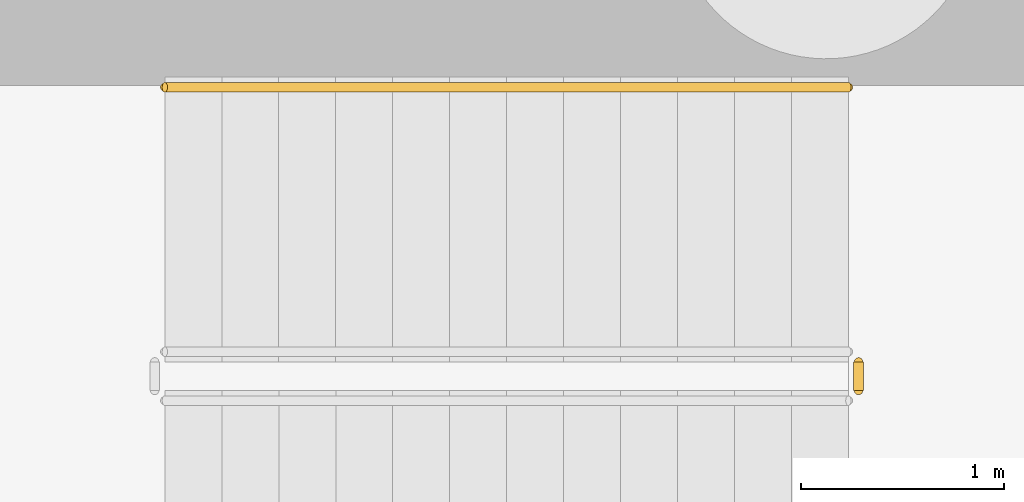
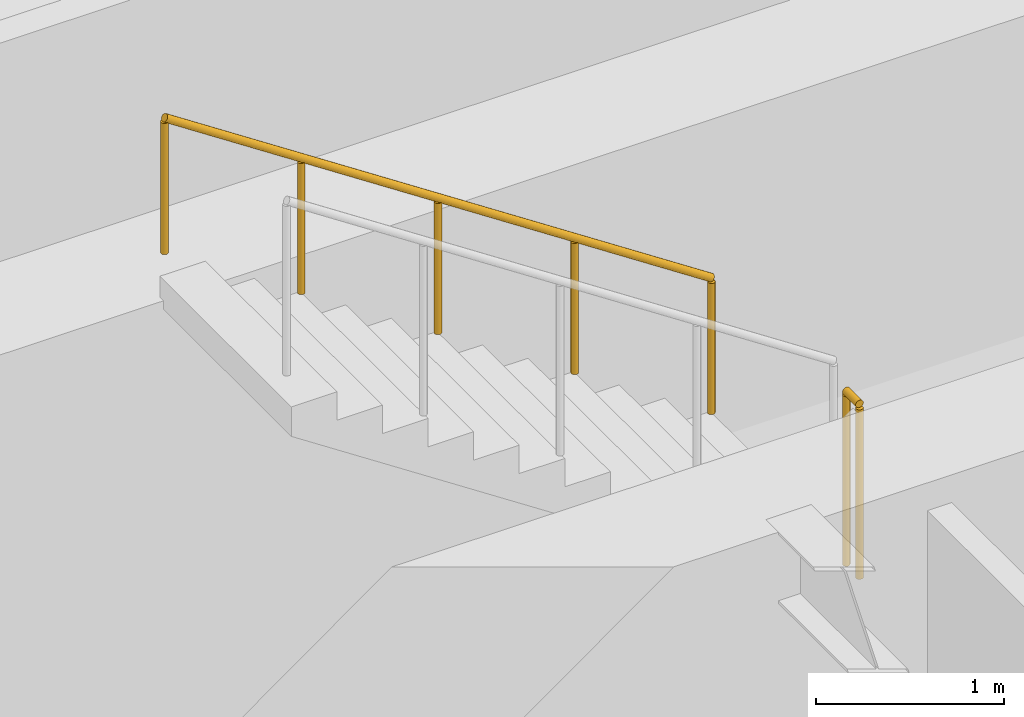
# One storey, part 13 of 16: 2 railings.
"""IFC4 building model written with IfcOpenShell, lengths in metres."""

from ifc_helpers import new_model, si_unit, direction, frame, origin, origin_2d, place, context, subcontext, project, spatial, circle, extrude, material, type_object, element, save


model = new_model("IFC4")

# Units and contexts
model_context = context("Model", 3, precision=1e-05, world=origin(), true_north=direction((0.0, 1.0)))
body_context = subcontext(model_context, "Body", "Model", "MODEL_VIEW")
ifc_project = project(units=[si_unit("LENGTHUNIT", "METRE"), si_unit("AREAUNIT", "SQUARE_METRE"), si_unit("VOLUMEUNIT", "CUBIC_METRE"), si_unit("PLANEANGLEUNIT", "RADIAN"), si_unit("MASSUNIT", "GRAM", prefix="KILO")], contexts=[model_context])

# Site, building, storey
site_placement = place(None, origin())
site = spatial("IfcSite", under=ifc_project, at=site_placement, CompositionType="ELEMENT")
building_placement = place(site_placement, origin())
building = spatial("IfcBuilding", under=site, at=building_placement, Name="Mirazonda Arch Towers", CompositionType="ELEMENT")
storey_placement = place(building_placement, frame((0.0, 0.0, -4.800048828125)))
storey = spatial("IfcBuildingStorey", under=building, at=storey_placement, Name="B1", CompositionType="ELEMENT", Elevation=-4.800048828125)

# Railings
ifc_material = material(Name="Architectural Brushed Steel S355", Category="steel")
railing_type_1 = type_object("IfcRailingType", Name="GUARD-STAIR-1120", PredefinedType="GUARDRAIL", material=ifc_material)
railing_1_placement = place(storey_placement, frame((17.260009765625, 39.219970703125, 2.400146484375)))
element("IfcRailing", 1, at=railing_1_placement, inside=storey, type_object=railing_type_1, Name="B1 ST-T1N stair guard 2", PredefinedType="GUARDRAIL", context=body_context, shape_type="SweptSolid", body=[
    extrude(circle(Radius=0.02392578125, at=origin_2d()), frame((0.0, 0.0, 1.1259765625), z_axis=(0.0, 1.0, 0.0), x_axis=(-1.0, 0.0, 0.0)), (0.0, 0.0, 1.0), 0.14013671875),
    extrude(circle(Radius=0.02099609375, at=origin_2d()), origin(), (0.0, 0.0, 1.0), 1.101806640625),
    extrude(circle(Radius=0.02099609375, at=origin_2d()), frame((0.0, 0.14013671875, 0.0)), (0.0, 0.0, 1.0), 1.101806640625),
])
railing_type_2 = type_object("IfcRailingType", Name="HANDRAIL-915", PredefinedType="HANDRAIL", material=ifc_material)
railing_2_placement = place(storey_placement, frame((17.2099609375, 40.7099609375, 2.584716796875)))
element("IfcRailing", 2, at=railing_2_placement, inside=storey, type_object=railing_type_2, Name="B1 ST-T1N stair handrail 2", PredefinedType="HANDRAIL", context=body_context, shape_type="SweptSolid", body=[
    extrude(circle(Radius=0.02392578125, at=origin_2d()), frame((0.0, 0.0, 0.8759765625), z_axis=(-0.834858096282, 0.0, 0.550465220583), x_axis=(0.0, -1.0, 0.0)), (0.0, 0.0, 1.0), 4.0244140625),
    extrude(circle(Radius=0.02099609375, at=origin_2d()), origin(), (0.0, 0.0, 1.0), 0.851806640625),
    extrude(circle(Radius=0.02099609375, at=origin_2d()), frame((-0.83984375, 0.0, 0.5537109375)), (0.0, 0.0, 1.0), 0.851806640625),
    extrude(circle(Radius=0.02099609375, at=origin_2d()), frame((-1.679931640625, 0.0, 1.107666015625)), (0.0, 0.0, 1.0), 0.851806640625),
    extrude(circle(Radius=0.02099609375, at=origin_2d()), frame((-2.52001953125, 0.0, 1.66162109375)), (0.0, 0.0, 1.0), 0.851806640625),
    extrude(circle(Radius=0.02099609375, at=origin_2d()), frame((-3.35986328125, 0.0, 2.21533203125)), (0.0, 0.0, 1.0), 0.851806640625),
])

save(model, "model.ifc")
